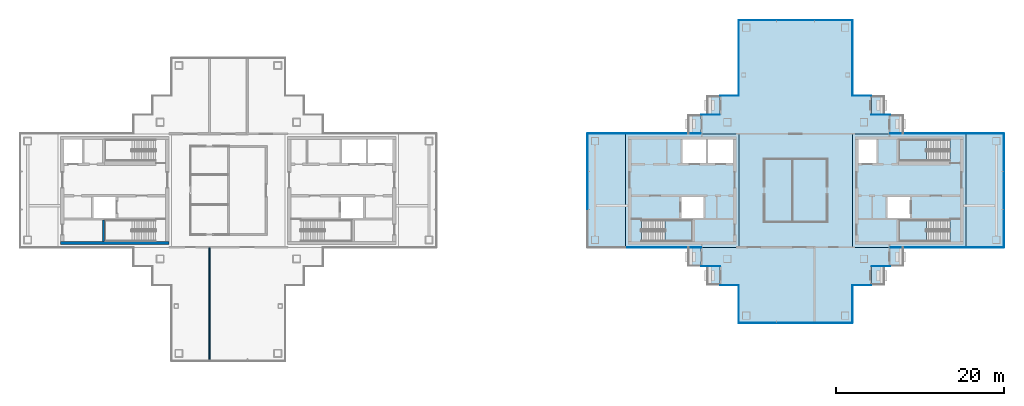
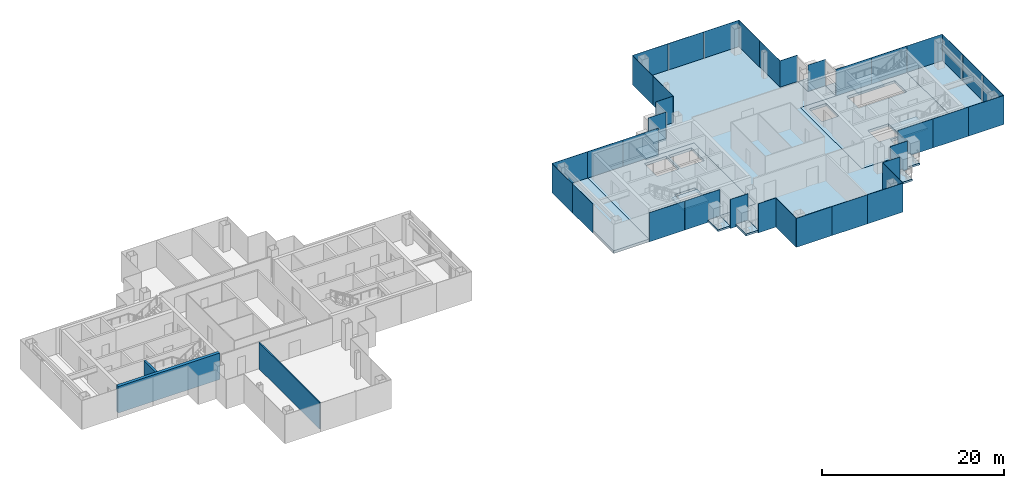
# One storey, part 8 of 16: 36 plates, 16 slabs, 3 walls, 22 elements without a shape of their own.
"""IFC4 building model written with IfcOpenShell, lengths in metres."""

from ifc_helpers import new_model, si_unit, direction, frame, frame_2d, origin, origin_2d, place, context, subcontext, project, spatial, polyline, rectangle, outline, extrude, material, layer, layer_set, type_object, element, aggregate, save


model = new_model("IFC4")

# Units and contexts
model_context = context("Model", 3, precision=1e-05, world=origin(), true_north=direction((0.0, 1.0)))
body_context = subcontext(model_context, "Body", "Model", "MODEL_VIEW")
ifc_project = project(units=[si_unit("LENGTHUNIT", "METRE"), si_unit("AREAUNIT", "SQUARE_METRE"), si_unit("VOLUMEUNIT", "CUBIC_METRE"), si_unit("PLANEANGLEUNIT", "RADIAN"), si_unit("MASSUNIT", "GRAM", prefix="KILO")], contexts=[model_context])

# Site, building, storey
site_placement = place(None, origin())
site = spatial("IfcSite", under=ifc_project, at=site_placement, CompositionType="ELEMENT")
building_placement = place(site_placement, origin())
building = spatial("IfcBuilding", under=site, at=building_placement, Name="Shamsa Quay Exchange Towers", CompositionType="ELEMENT")
storey_placement = place(building_placement, frame((0.0, 0.0, 242.10009765625)))
storey = spatial("IfcBuildingStorey", under=building, at=storey_placement, Name="L58", CompositionType="ELEMENT", Elevation=242.10009765625)

# Slabs
ifc_material_1 = material(Name="Precast concrete C40/50", Category="concrete")
ifc_layer_1 = layer(ifc_material_1, 0.25)
ifc_layer_set_1 = layer_set([ifc_layer_1], Name="BALCONY SLAB 250")
slab_type_1 = type_object("IfcSlabType", Name="BALCONY SLAB 250", PredefinedType="FLOOR", material=ifc_layer_set_1)
slab_1_placement = place(storey_placement, frame((0.0, 0.0, -0.25)))
element("IfcSlab", 1, at=slab_1_placement, inside=storey, type_object=slab_type_1, Name="Balcony T2-PKEN L58", PredefinedType="FLOOR", context=body_context, shape_type="SweptSolid", body=[
    extrude(outline(polyline([(24.75, 11.25), (24.75, 9.0380859375), (23.199951171875, 9.0380859375), (23.199951171875, 11.25), (24.75, 11.25)])), origin(), (0.0, 0.0, 1.0), 0.25),
])
slab_2_placement = place(storey_placement, frame((0.0, 0.0, -0.25)))
element("IfcSlab", 2, at=slab_2_placement, inside=storey, type_object=slab_type_1, Name="Balcony T2-PKEN L58", PredefinedType="FLOOR", context=body_context, shape_type="SweptSolid", body=[
    extrude(outline(polyline([(22.5, 9.0), (22.5, 6.7880859375), (20.949951171875, 6.7880859375), (20.949951171875, 9.0), (22.5, 9.0)])), origin(), (0.0, 0.0, 1.0), 0.25),
])
slab_3_placement = place(storey_placement, frame((0.0, 0.0, -0.25)))
element("IfcSlab", 3, at=slab_3_placement, inside=storey, type_object=slab_type_1, Name="Balcony T2-PKES L58", PredefinedType="FLOOR", context=body_context, shape_type="SweptSolid", body=[
    extrude(outline(polyline([(42.75, 9.0380859375), (42.75, 11.25), (44.300048828125, 11.25), (44.300048828125, 9.0380859375), (42.75, 9.0380859375)])), origin(), (0.0, 0.0, 1.0), 0.25),
])
slab_4_placement = place(storey_placement, frame((0.0, 0.0, -0.25)))
element("IfcSlab", 4, at=slab_4_placement, inside=storey, type_object=slab_type_1, Name="Balcony T2-PKES L58", PredefinedType="FLOOR", context=body_context, shape_type="SweptSolid", body=[
    extrude(outline(polyline([(45.0, 6.7880859375), (45.0, 9.0), (46.550048828125, 9.0), (46.550048828125, 6.7880859375), (45.0, 6.7880859375)])), origin(), (0.0, 0.0, 1.0), 0.25),
])
slab_5_placement = place(storey_placement, frame((0.0, 0.0, -0.25)))
element("IfcSlab", 5, at=slab_5_placement, inside=storey, type_object=slab_type_1, Name="Balcony T2-PKWN L58", PredefinedType="FLOOR", context=body_context, shape_type="SweptSolid", body=[
    extrude(outline(polyline([(22.5, -6.7880859375), (22.5, -9.0), (20.949951171875, -9.0), (20.949951171875, -6.7880859375), (22.5, -6.7880859375)])), origin(), (0.0, 0.0, 1.0), 0.25),
])
slab_6_placement = place(storey_placement, frame((0.0, 0.0, -0.25)))
element("IfcSlab", 6, at=slab_6_placement, inside=storey, type_object=slab_type_1, Name="Balcony T2-PKWN L58", PredefinedType="FLOOR", context=body_context, shape_type="SweptSolid", body=[
    extrude(outline(polyline([(24.75, -9.0380859375), (24.75, -11.25), (23.199951171875, -11.25), (23.199951171875, -9.0380859375), (24.75, -9.0380859375)])), origin(), (0.0, 0.0, 1.0), 0.25),
])
slab_7_placement = place(storey_placement, frame((0.0, 0.0, -0.25)))
element("IfcSlab", 7, at=slab_7_placement, inside=storey, type_object=slab_type_1, Name="Balcony T2-PKWS L58", PredefinedType="FLOOR", context=body_context, shape_type="SweptSolid", body=[
    extrude(outline(polyline([(42.75, -11.25), (42.75, -9.0380859375), (44.300048828125, -9.0380859375), (44.300048828125, -11.25), (42.75, -11.25)])), origin(), (0.0, 0.0, 1.0), 0.25),
])
slab_8_placement = place(storey_placement, frame((0.0, 0.0, -0.25)))
element("IfcSlab", 8, at=slab_8_placement, inside=storey, type_object=slab_type_1, Name="Balcony T2-PKWS L58", PredefinedType="FLOOR", context=body_context, shape_type="SweptSolid", body=[
    extrude(outline(polyline([(45.0, -9.0), (45.0, -6.7880859375), (46.550048828125, -6.7880859375), (46.550048828125, -9.0), (45.0, -9.0)])), origin(), (0.0, 0.0, 1.0), 0.25),
])
ifc_material_2 = material(Name="Concrete C50/60", Category="concrete")
ifc_layer_2 = layer(ifc_material_2, 0.35009765625)
ifc_layer_set_2 = layer_set([ifc_layer_2], Name="CORE FLOOR 350 C50/60")
slab_type_2 = type_object("IfcSlabType", Name="CORE FLOOR 350 C50/60", PredefinedType="FLOOR", material=ifc_layer_set_2)
slab_9_placement = place(storey_placement, frame((0.0, 0.0, -0.35009765625)))
element("IfcSlab", 9, at=slab_9_placement, inside=storey, type_object=slab_type_2, Name="Core floor T2A", PredefinedType="FLOOR", context=body_context, shape_type="SweptSolid", body=[
    extrude(outline(polyline([(13.5, -6.75), (27.0, -6.75), (27.0, 6.75), (13.5, 6.75), (13.5, -6.75)]), holes=[polyline([(15.400634765625, -6.050048828125), (15.400634765625, -3.5), (21.5, -3.5), (21.5, -6.050048828125), (15.400634765625, -6.050048828125)]), polyline([(20.300048828125, 3.25), (20.300048828125, 6.050048828125), (23.10009765625, 6.050048828125), (23.10009765625, 3.25), (20.300048828125, 3.25)]), polyline([(23.35009765625, 3.25), (23.35009765625, 6.050048828125), (26.300048828125, 6.050048828125), (26.300048828125, 3.25), (23.35009765625, 3.25)]), polyline([(20.14990234375, -3.25), (20.14990234375, -0.75), (22.800048828125, -0.75), (22.800048828125, -3.25), (20.14990234375, -3.25)])]), origin(), (0.0, 0.0, 1.0), 0.35009765625),
])
slab_10_placement = place(storey_placement, frame((0.0, 0.0, -0.35009765625)))
element("IfcSlab", 10, at=slab_10_placement, inside=storey, type_object=slab_type_2, Name="Core floor T2B", PredefinedType="FLOOR", context=body_context, shape_type="SweptSolid", body=[
    extrude(outline(polyline([(54.0, -6.75), (54.0, 6.75), (40.5, 6.75), (40.5, -6.75), (54.0, -6.75)]), holes=[polyline([(52.099365234375, -3.5), (52.099365234375, -6.050048828125), (46.0, -6.050048828125), (46.0, -3.5), (52.099365234375, -3.5)]), polyline([(52.099365234375, 6.050048828125), (52.099365234375, 3.5), (46.0, 3.5), (46.0, 6.050048828125), (52.099365234375, 6.050048828125)]), polyline([(43.35009765625, 3.25), (41.199951171875, 3.25), (41.199951171875, 6.050048828125), (43.35009765625, 6.050048828125), (43.35009765625, 3.25)]), polyline([(47.35009765625, -3.25), (44.699951171875, -3.25), (44.699951171875, -0.75), (47.35009765625, -0.75), (47.35009765625, -3.25)])]), origin(), (0.0, 0.0, 1.0), 0.35009765625),
])

# Stair, slab
ifc_material_3 = material(Name="Concrete C40/50", Category="concrete")
stair_type = type_object("IfcStairType", Name="EXIT STAIR 22 RISERS 177 MM", PredefinedType="HALF_TURN_STAIR", material=ifc_material_3)
stair_1_placement = place(storey_placement, origin())
stair_1 = element("IfcStair", 11, at=stair_1_placement, inside=storey, type_object=stair_type, Name="L58 Exit stair ST4", PredefinedType="HALF_TURN_STAIR")
ifc_layer_3 = layer(ifc_material_3, 0.199951171875)
ifc_layer_set_3 = layer_set([ifc_layer_3], Name="CORE STAIR LANDING")
slab_type_3 = type_object("IfcSlabType", Name="CORE STAIR LANDING", PredefinedType="LANDING", material=ifc_layer_set_3)
slab_11_placement = place(storey_placement, frame((0.0, 0.0, 1.75)))
slab_11 = element("IfcSlab", 12, at=slab_11_placement, type_object=slab_type_3, Name="ST4 landing 1", PredefinedType="LANDING", context=body_context, shape_type="SweptSolid", body=[
    extrude(outline(polyline([(18.199951171875, -6.050048828125), (21.5, -6.050048828125), (21.5, -3.5), (18.199951171875, -3.5), (18.199951171875, -6.050048828125)])), origin(), (0.0, 0.0, 1.0), 0.199951171875),
])
aggregate(stair_1, [slab_11])

stair_2_placement = place(storey_placement, origin())
stair_2 = element("IfcStair", 13, at=stair_2_placement, inside=storey, type_object=stair_type, Name="L58 Exit stair ST5", PredefinedType="HALF_TURN_STAIR")
slab_12_placement = place(storey_placement, frame((0.0, 0.0, 1.75)))
slab_12 = element("IfcSlab", 14, at=slab_12_placement, type_object=slab_type_3, Name="ST5 landing 1", PredefinedType="LANDING", context=body_context, shape_type="SweptSolid", body=[
    extrude(outline(polyline([(49.300048828125, -3.5), (46.0, -3.5), (46.0, -6.050048828125), (49.300048828125, -6.050048828125), (49.300048828125, -3.5)])), origin(), (0.0, 0.0, 1.0), 0.199951171875),
])
aggregate(stair_2, [slab_12])

stair_3_placement = place(storey_placement, origin())
stair_3 = element("IfcStair", 15, at=stair_3_placement, inside=storey, type_object=stair_type, Name="L58 Exit stair ST6", PredefinedType="HALF_TURN_STAIR")
slab_13_placement = place(storey_placement, frame((0.0, 0.0, 1.75)))
slab_13 = element("IfcSlab", 16, at=slab_13_placement, type_object=slab_type_3, Name="ST6 landing 1", PredefinedType="LANDING", context=body_context, shape_type="SweptSolid", body=[
    extrude(outline(polyline([(49.300048828125, 6.050048828125), (46.0, 6.050048828125), (46.0, 3.5), (49.300048828125, 3.5), (49.300048828125, 6.050048828125)])), origin(), (0.0, 0.0, 1.0), 0.199951171875),
])
aggregate(stair_3, [slab_13])

# Curtain wall, plate
ifc_material_4 = material(Name="Aluminium EN AW-6063 T6, black anodised", Category="aluminium")
ifc_layer_4 = layer(ifc_material_4, 0.280029296875)
ifc_layer_set_4 = layer_set([ifc_layer_4], Name="CW-1 UNITISED VISION GLASS")
curtain_wall_type_1 = type_object("IfcCurtainWallType", Name="CW-1 UNITISED VISION GLASS", PredefinedType="NOTDEFINED", material=ifc_layer_set_4)
curtain_wall_1_placement = place(storey_placement, origin())
curtain_wall_1 = element("IfcCurtainWall", 17, at=curtain_wall_1_placement, inside=storey, type_object=curtain_wall_type_1, Name="CW1 T2-FLK-V-W L58", PredefinedType="NOTDEFINED")
ifc_material_5 = material(Name="Glass, laminated, dark tinted", Category="glass")
ifc_layer_5 = layer(ifc_material_5, 0.0400390625)
ifc_layer_set_5 = layer_set([ifc_layer_5], Name="CW-1 VISION GLASS 40")
plate_type_1 = type_object("IfcPlateType", Name="CW-1 VISION GLASS 40", PredefinedType="CURTAIN_PANEL", material=ifc_layer_set_5)
plate_1_placement = place(storey_placement, frame((56.25, -6.77001953125, -0.35009765625)))
plate_1 = element("IfcPlate", 18, at=plate_1_placement, type_object=plate_type_1, Name="CW1 glass panel", PredefinedType="CURTAIN_PANEL", context=body_context, shape_type="SweptSolid", body=[
    extrude(rectangle(XDim=4.5, YDim=0.0400390625, at=origin_2d()), origin(), (0.0, 0.0, 1.0), 3.89990234375),
])
aggregate(curtain_wall_1, [plate_1])

# Curtain wall, plates
curtain_wall_2_placement = place(storey_placement, origin())
curtain_wall_2 = element("IfcCurtainWall", 19, at=curtain_wall_2_placement, inside=storey, type_object=curtain_wall_type_1, Name="CW1 T2-END-V- L58", PredefinedType="NOTDEFINED")
plate_2_placement = place(storey_placement, frame((58.52001953125, -4.50244140625, -0.35009765625), z_axis=(0.0, 0.0, 1.0), x_axis=(0.0, 1.0, 0.0)))
plate_2 = element("IfcPlate", 20, at=plate_2_placement, type_object=plate_type_1, Name="CW1 glass panel", PredefinedType="CURTAIN_PANEL", context=body_context, shape_type="SweptSolid", body=[
    extrude(rectangle(XDim=4.4951171875, YDim=0.0400390625, at=origin_2d()), origin(), (0.0, 0.0, 1.0), 3.89990234375),
])
plate_3_placement = place(storey_placement, frame((58.52001953125, 0.0, -0.35009765625), z_axis=(0.0, 0.0, 1.0), x_axis=(0.0, 1.0, 0.0)))
plate_3 = element("IfcPlate", 21, at=plate_3_placement, type_object=plate_type_1, Name="CW1 glass panel", PredefinedType="CURTAIN_PANEL", context=body_context, shape_type="SweptSolid", body=[
    extrude(rectangle(XDim=4.489990234375, YDim=0.0400390625, at=origin_2d()), origin(), (0.0, 0.0, 1.0), 3.89990234375),
])
plate_4_placement = place(storey_placement, frame((58.52001953125, 4.50244140625, -0.35009765625), z_axis=(0.0, 0.0, 1.0), x_axis=(0.0, 1.0, 0.0)))
plate_4 = element("IfcPlate", 22, at=plate_4_placement, type_object=plate_type_1, Name="CW1 glass panel", PredefinedType="CURTAIN_PANEL", context=body_context, shape_type="SweptSolid", body=[
    extrude(rectangle(XDim=4.4951171875, YDim=0.0400390625, at=origin_2d()), origin(), (0.0, 0.0, 1.0), 3.89990234375),
])
aggregate(curtain_wall_2, [plate_2, plate_3, plate_4])

# Curtain wall, plate
curtain_wall_3_placement = place(storey_placement, origin())
curtain_wall_3 = element("IfcCurtainWall", 23, at=curtain_wall_3_placement, inside=storey, type_object=curtain_wall_type_1, Name="CW1 T2-FLK-V-E L58", PredefinedType="NOTDEFINED")
plate_5_placement = place(storey_placement, frame((56.25, 6.77001953125, -0.35009765625), z_axis=(0.0, 0.0, 1.0), x_axis=(-1.0, 0.0, 0.0)))
plate_5 = element("IfcPlate", 24, at=plate_5_placement, type_object=plate_type_1, Name="CW1 glass panel", PredefinedType="CURTAIN_PANEL", context=body_context, shape_type="SweptSolid", body=[
    extrude(rectangle(XDim=4.5, YDim=0.0400390625, at=origin_2d()), origin(), (0.0, 0.0, 1.0), 3.89990234375),
])
aggregate(curtain_wall_3, [plate_5])

# Curtain wall, plates
curtain_wall_4_placement = place(storey_placement, origin())
curtain_wall_4 = element("IfcCurtainWall", 25, at=curtain_wall_4_placement, inside=storey, type_object=curtain_wall_type_1, Name="CW1 T2-FLK-U+S L58", PredefinedType="NOTDEFINED")
plate_6_placement = place(storey_placement, frame((40.52001953125, 13.52587890625, -0.35009765625), z_axis=(0.0, 0.0, 1.0), x_axis=(0.0, 1.0, 0.0)))
plate_6 = element("IfcPlate", 26, at=plate_6_placement, type_object=plate_type_1, Name="CW1 glass panel", PredefinedType="CURTAIN_PANEL", context=body_context, shape_type="SweptSolid", body=[
    extrude(rectangle(XDim=4.47607421875, YDim=0.0400390625, at=origin_2d()), origin(), (0.0, 0.0, 1.0), 3.89990234375),
])
plate_7_placement = place(storey_placement, frame((40.52001953125, 18.011962890625, -0.35009765625), z_axis=(0.0, 0.0, 1.0), x_axis=(0.0, 1.0, 0.0)))
plate_7 = element("IfcPlate", 27, at=plate_7_placement, type_object=plate_type_1, Name="CW1 glass panel", PredefinedType="CURTAIN_PANEL", context=body_context, shape_type="SweptSolid", body=[
    extrude(rectangle(XDim=4.47607421875, YDim=0.0400390625, at=origin_2d()), origin(), (0.0, 0.0, 1.0), 3.89990234375),
])
aggregate(curtain_wall_4, [plate_6, plate_7])

curtain_wall_5_placement = place(storey_placement, origin())
curtain_wall_5 = element("IfcCurtainWall", 28, at=curtain_wall_5_placement, inside=storey, type_object=curtain_wall_type_1, Name="CW1 T2-END-U+ L58", PredefinedType="NOTDEFINED")
plate_8_placement = place(storey_placement, frame((38.25244140625, 20.27001953125, -0.35009765625), z_axis=(0.0, 0.0, 1.0), x_axis=(-1.0, 0.0, 0.0)))
plate_8 = element("IfcPlate", 29, at=plate_8_placement, type_object=plate_type_1, Name="CW1 glass panel", PredefinedType="CURTAIN_PANEL", context=body_context, shape_type="SweptSolid", body=[
    extrude(rectangle(XDim=4.4951171875, YDim=0.0400390625, at=origin_2d()), origin(), (0.0, 0.0, 1.0), 3.89990234375),
])
plate_9_placement = place(storey_placement, frame((33.75, 20.27001953125, -0.35009765625), z_axis=(0.0, 0.0, 1.0), x_axis=(-1.0, 0.0, 0.0)))
plate_9 = element("IfcPlate", 30, at=plate_9_placement, type_object=plate_type_1, Name="CW1 glass panel", PredefinedType="CURTAIN_PANEL", context=body_context, shape_type="SweptSolid", body=[
    extrude(rectangle(XDim=4.489990234375, YDim=0.0400390625, at=origin_2d()), origin(), (0.0, 0.0, 1.0), 3.89990234375),
])
plate_10_placement = place(storey_placement, frame((29.24755859375, 20.27001953125, -0.35009765625), z_axis=(0.0, 0.0, 1.0), x_axis=(-1.0, 0.0, 0.0)))
plate_10 = element("IfcPlate", 31, at=plate_10_placement, type_object=plate_type_1, Name="CW1 glass panel", PredefinedType="CURTAIN_PANEL", context=body_context, shape_type="SweptSolid", body=[
    extrude(rectangle(XDim=4.4951171875, YDim=0.0400390625, at=origin_2d()), origin(), (0.0, 0.0, 1.0), 3.89990234375),
])
aggregate(curtain_wall_5, [plate_8, plate_9, plate_10])

curtain_wall_6_placement = place(storey_placement, origin())
curtain_wall_6 = element("IfcCurtainWall", 32, at=curtain_wall_6_placement, inside=storey, type_object=curtain_wall_type_1, Name="CW1 T2-FLK-U+N L58", PredefinedType="NOTDEFINED")
plate_11_placement = place(storey_placement, frame((26.97998046875, 18.00244140625, -0.35009765625), z_axis=(0.0, 0.0, 1.0), x_axis=(0.0, -1.0, 0.0)))
plate_11 = element("IfcPlate", 33, at=plate_11_placement, type_object=plate_type_1, Name="CW1 glass panel", PredefinedType="CURTAIN_PANEL", context=body_context, shape_type="SweptSolid", body=[
    extrude(rectangle(XDim=4.4951171875, YDim=0.0400390625, at=origin_2d()), origin(), (0.0, 0.0, 1.0), 3.89990234375),
])
plate_12_placement = place(storey_placement, frame((26.97998046875, 13.49755859375, -0.35009765625), z_axis=(0.0, 0.0, 1.0), x_axis=(0.0, -1.0, 0.0)))
plate_12 = element("IfcPlate", 34, at=plate_12_placement, type_object=plate_type_1, Name="CW1 glass panel", PredefinedType="CURTAIN_PANEL", context=body_context, shape_type="SweptSolid", body=[
    extrude(rectangle(XDim=4.4951171875, YDim=0.0400390625, at=origin_2d()), origin(), (0.0, 0.0, 1.0), 3.89990234375),
])
aggregate(curtain_wall_6, [plate_11, plate_12])

# Curtain wall, plate
curtain_wall_7_placement = place(storey_placement, origin())
curtain_wall_7 = element("IfcCurtainWall", 35, at=curtain_wall_7_placement, inside=storey, type_object=curtain_wall_type_1, Name="CW1 T2-FLK-V+E L58", PredefinedType="NOTDEFINED")
plate_13_placement = place(storey_placement, frame((11.25, 6.77001953125, -0.35009765625), z_axis=(0.0, 0.0, 1.0), x_axis=(-1.0, 0.0, 0.0)))
plate_13 = element("IfcPlate", 36, at=plate_13_placement, type_object=plate_type_1, Name="CW1 glass panel", PredefinedType="CURTAIN_PANEL", context=body_context, shape_type="SweptSolid", body=[
    extrude(rectangle(XDim=4.5, YDim=0.0400390625, at=origin_2d()), origin(), (0.0, 0.0, 1.0), 3.89990234375),
])
aggregate(curtain_wall_7, [plate_13])

# Curtain wall, plates
curtain_wall_8_placement = place(storey_placement, origin())
curtain_wall_8 = element("IfcCurtainWall", 37, at=curtain_wall_8_placement, inside=storey, type_object=curtain_wall_type_1, Name="CW1 T2-END-V+ L58", PredefinedType="NOTDEFINED")
plate_14_placement = place(storey_placement, frame((8.97998046875, 4.50244140625, -0.35009765625), z_axis=(0.0, 0.0, 1.0), x_axis=(0.0, -1.0, 0.0)))
plate_14 = element("IfcPlate", 38, at=plate_14_placement, type_object=plate_type_1, Name="CW1 glass panel", PredefinedType="CURTAIN_PANEL", context=body_context, shape_type="SweptSolid", body=[
    extrude(rectangle(XDim=4.4951171875, YDim=0.0400390625, at=origin_2d()), origin(), (0.0, 0.0, 1.0), 3.89990234375),
])
plate_15_placement = place(storey_placement, frame((8.97998046875, 0.0, -0.35009765625), z_axis=(0.0, 0.0, 1.0), x_axis=(0.0, -1.0, 0.0)))
plate_15 = element("IfcPlate", 39, at=plate_15_placement, type_object=plate_type_1, Name="CW1 glass panel", PredefinedType="CURTAIN_PANEL", context=body_context, shape_type="SweptSolid", body=[
    extrude(rectangle(XDim=4.489990234375, YDim=0.0400390625, at=origin_2d()), origin(), (0.0, 0.0, 1.0), 3.89990234375),
])
aggregate(curtain_wall_8, [plate_14, plate_15])

# Curtain wall, plate
curtain_wall_9_placement = place(storey_placement, origin())
curtain_wall_9 = element("IfcCurtainWall", 40, at=curtain_wall_9_placement, inside=storey, type_object=curtain_wall_type_1, Name="CW1 T2-FLK-U-N L58", PredefinedType="NOTDEFINED")
plate_16_placement = place(storey_placement, frame((26.97998046875, -13.51904296875, -0.35009765625), z_axis=(0.0, 0.0, 1.0), x_axis=(0.0, -1.0, 0.0)))
plate_16 = element("IfcPlate", 41, at=plate_16_placement, type_object=plate_type_1, Name="CW1 glass panel", PredefinedType="CURTAIN_PANEL", context=body_context, shape_type="SweptSolid", body=[
    extrude(rectangle(XDim=4.4619140625, YDim=0.0400390625, at=origin_2d()), origin(), (0.0, 0.0, 1.0), 3.89990234375),
])
aggregate(curtain_wall_9, [plate_16])

# Curtain wall, plates
curtain_wall_10_placement = place(storey_placement, origin())
curtain_wall_10 = element("IfcCurtainWall", 42, at=curtain_wall_10_placement, inside=storey, type_object=curtain_wall_type_1, Name="CW1 T2-END-U- L58", PredefinedType="NOTDEFINED")
plate_17_placement = place(storey_placement, frame((29.24755859375, -15.77001953125, -0.35009765625)))
plate_17 = element("IfcPlate", 43, at=plate_17_placement, type_object=plate_type_1, Name="CW1 glass panel", PredefinedType="CURTAIN_PANEL", context=body_context, shape_type="SweptSolid", body=[
    extrude(rectangle(XDim=4.4951171875, YDim=0.0400390625, at=origin_2d()), origin(), (0.0, 0.0, 1.0), 3.89990234375),
])
plate_18_placement = place(storey_placement, frame((33.75, -15.77001953125, -0.35009765625)))
plate_18 = element("IfcPlate", 44, at=plate_18_placement, type_object=plate_type_1, Name="CW1 glass panel", PredefinedType="CURTAIN_PANEL", context=body_context, shape_type="SweptSolid", body=[
    extrude(rectangle(XDim=4.489990234375, YDim=0.0400390625, at=origin_2d()), origin(), (0.0, 0.0, 1.0), 3.89990234375),
])
plate_19_placement = place(storey_placement, frame((38.25244140625, -15.77001953125, -0.35009765625)))
plate_19 = element("IfcPlate", 45, at=plate_19_placement, type_object=plate_type_1, Name="CW1 glass panel", PredefinedType="CURTAIN_PANEL", context=body_context, shape_type="SweptSolid", body=[
    extrude(rectangle(XDim=4.4951171875, YDim=0.0400390625, at=origin_2d()), origin(), (0.0, 0.0, 1.0), 3.89990234375),
])
aggregate(curtain_wall_10, [plate_17, plate_18, plate_19])

# Curtain wall, plate
curtain_wall_11_placement = place(storey_placement, origin())
curtain_wall_11 = element("IfcCurtainWall", 46, at=curtain_wall_11_placement, inside=storey, type_object=curtain_wall_type_1, Name="CW1 T2-FLK-U-S L58", PredefinedType="NOTDEFINED")
plate_20_placement = place(storey_placement, frame((40.52001953125, -13.5, -0.35009765625), z_axis=(0.0, 0.0, 1.0), x_axis=(0.0, 1.0, 0.0)))
plate_20 = element("IfcPlate", 47, at=plate_20_placement, type_object=plate_type_1, Name="CW1 glass panel", PredefinedType="CURTAIN_PANEL", context=body_context, shape_type="SweptSolid", body=[
    extrude(rectangle(XDim=4.5, YDim=0.0400390625, at=origin_2d()), origin(), (0.0, 0.0, 1.0), 3.89990234375),
])
aggregate(curtain_wall_11, [plate_20])

# Curtain wall, plates
ifc_layer_6 = layer(ifc_material_4, 0.303955078125)
ifc_layer_set_6 = layer_set([ifc_layer_6], Name="CW-2 UNITISED OPAQUE SPANDREL GLASS")
curtain_wall_type_2 = type_object("IfcCurtainWallType", Name="CW-2 UNITISED OPAQUE SPANDREL GLASS", PredefinedType="NOTDEFINED", material=ifc_layer_set_6)
curtain_wall_12_placement = place(storey_placement, origin())
curtain_wall_12 = element("IfcCurtainWall", 48, at=curtain_wall_12_placement, inside=storey, type_object=curtain_wall_type_2, Name="CW2 T2-FLK-V-W L58", PredefinedType="NOTDEFINED")
ifc_material_6 = material(Name="Glass, laminated, black enamelled opaque", Category="glass")
ifc_layer_7 = layer(ifc_material_6, 0.0439453125)
ifc_layer_set_7 = layer_set([ifc_layer_7], Name="CW-2 SPANDREL GLASS 44")
plate_type_2 = type_object("IfcPlateType", Name="CW-2 SPANDREL GLASS 44", PredefinedType="CURTAIN_PANEL", material=ifc_layer_set_7)
plate_21_placement = place(storey_placement, frame((47.27587890625, -6.77197265625, -0.35009765625)))
plate_21 = element("IfcPlate", 49, at=plate_21_placement, type_object=plate_type_2, Name="CW2 glass panel", PredefinedType="CURTAIN_PANEL", context=body_context, shape_type="SweptSolid", body=[
    extrude(rectangle(XDim=4.47607421875, YDim=0.0439453125, at=origin_2d()), origin(), (0.0, 0.0, 1.0), 3.89990234375),
])
plate_22_placement = place(storey_placement, frame((51.761962890625, -6.77197265625, -0.35009765625)))
plate_22 = element("IfcPlate", 50, at=plate_22_placement, type_object=plate_type_2, Name="CW2 glass panel", PredefinedType="CURTAIN_PANEL", context=body_context, shape_type="SweptSolid", body=[
    extrude(rectangle(XDim=4.47607421875, YDim=0.0439453125, at=origin_2d()), origin(), (0.0, 0.0, 1.0), 3.89990234375),
])
aggregate(curtain_wall_12, [plate_21, plate_22])

curtain_wall_13_placement = place(storey_placement, origin())
curtain_wall_13 = element("IfcCurtainWall", 51, at=curtain_wall_13_placement, inside=storey, type_object=curtain_wall_type_2, Name="CW2 T2-FLK-V-E L58", PredefinedType="NOTDEFINED")
plate_23_placement = place(storey_placement, frame((51.75244140625, 6.77197265625, -0.35009765625), z_axis=(0.0, 0.0, 1.0), x_axis=(-1.0, 0.0, 0.0)))
plate_23 = element("IfcPlate", 52, at=plate_23_placement, type_object=plate_type_2, Name="CW2 glass panel", PredefinedType="CURTAIN_PANEL", context=body_context, shape_type="SweptSolid", body=[
    extrude(rectangle(XDim=4.4951171875, YDim=0.0439453125, at=origin_2d()), origin(), (0.0, 0.0, 1.0), 3.89990234375),
])
plate_24_placement = place(storey_placement, frame((47.24755859375, 6.77197265625, -0.35009765625), z_axis=(0.0, 0.0, 1.0), x_axis=(-1.0, 0.0, 0.0)))
plate_24 = element("IfcPlate", 53, at=plate_24_placement, type_object=plate_type_2, Name="CW2 glass panel", PredefinedType="CURTAIN_PANEL", context=body_context, shape_type="SweptSolid", body=[
    extrude(rectangle(XDim=4.4951171875, YDim=0.0439453125, at=origin_2d()), origin(), (0.0, 0.0, 1.0), 3.89990234375),
])
aggregate(curtain_wall_13, [plate_23, plate_24])

curtain_wall_14_placement = place(storey_placement, origin())
curtain_wall_14 = element("IfcCurtainWall", 54, at=curtain_wall_14_placement, inside=storey, type_object=curtain_wall_type_2, Name="CW2 T2-FLK-V+E L58", PredefinedType="NOTDEFINED")
plate_25_placement = place(storey_placement, frame((20.22412109375, 6.77197265625, -0.35009765625), z_axis=(0.0, 0.0, 1.0), x_axis=(-1.0, 0.0, 0.0)))
plate_25 = element("IfcPlate", 55, at=plate_25_placement, type_object=plate_type_2, Name="CW2 glass panel", PredefinedType="CURTAIN_PANEL", context=body_context, shape_type="SweptSolid", body=[
    extrude(rectangle(XDim=4.47607421875, YDim=0.0439453125, at=origin_2d()), origin(), (0.0, 0.0, 1.0), 3.89990234375),
])
plate_26_placement = place(storey_placement, frame((15.738037109375, 6.77197265625, -0.35009765625), z_axis=(0.0, 0.0, 1.0), x_axis=(-1.0, 0.0, 0.0)))
plate_26 = element("IfcPlate", 56, at=plate_26_placement, type_object=plate_type_2, Name="CW2 glass panel", PredefinedType="CURTAIN_PANEL", context=body_context, shape_type="SweptSolid", body=[
    extrude(rectangle(XDim=4.47607421875, YDim=0.0439453125, at=origin_2d()), origin(), (0.0, 0.0, 1.0), 3.89990234375),
])
aggregate(curtain_wall_14, [plate_25, plate_26])

curtain_wall_15_placement = place(storey_placement, origin())
curtain_wall_15 = element("IfcCurtainWall", 57, at=curtain_wall_15_placement, inside=storey, type_object=curtain_wall_type_2, Name="CW2 T2-FLK-V+W L58", PredefinedType="NOTDEFINED")
plate_27_placement = place(storey_placement, frame((15.74755859375, -6.77197265625, -0.35009765625)))
plate_27 = element("IfcPlate", 58, at=plate_27_placement, type_object=plate_type_2, Name="CW2 glass panel", PredefinedType="CURTAIN_PANEL", context=body_context, shape_type="SweptSolid", body=[
    extrude(rectangle(XDim=4.4951171875, YDim=0.0439453125, at=origin_2d()), origin(), (0.0, 0.0, 1.0), 3.89990234375),
])
plate_28_placement = place(storey_placement, frame((20.25244140625, -6.77197265625, -0.35009765625)))
plate_28 = element("IfcPlate", 59, at=plate_28_placement, type_object=plate_type_2, Name="CW2 glass panel", PredefinedType="CURTAIN_PANEL", context=body_context, shape_type="SweptSolid", body=[
    extrude(rectangle(XDim=4.4951171875, YDim=0.0439453125, at=origin_2d()), origin(), (0.0, 0.0, 1.0), 3.89990234375),
])
aggregate(curtain_wall_15, [plate_27, plate_28])

ifc_layer_8 = layer(ifc_material_4, 0.256103515625)
ifc_layer_set_8 = layer_set([ifc_layer_8], Name="CW-4 POCKET SERRATED GLAZING")
curtain_wall_type_3 = type_object("IfcCurtainWallType", Name="CW-4 POCKET SERRATED GLAZING", PredefinedType="NOTDEFINED", material=ifc_layer_set_8)
curtain_wall_16_placement = place(storey_placement, origin())
curtain_wall_16 = element("IfcCurtainWall", 60, at=curtain_wall_16_placement, inside=storey, type_object=curtain_wall_type_3, Name="CW4 PKWS L58", PredefinedType="NOTDEFINED")
ifc_layer_9 = layer(ifc_material_5, 0.035888671875)
ifc_layer_set_9 = layer_set([ifc_layer_9], Name="CW-4 POCKET GLASS 36")
plate_type_3 = type_object("IfcPlateType", Name="CW-4 POCKET GLASS 36", PredefinedType="CURTAIN_PANEL", material=ifc_layer_set_9)
plate_29_placement = place(storey_placement, frame((43.89404296875, -9.01806640625, -0.35009765625)))
plate_29 = element("IfcPlate", 61, at=plate_29_placement, type_object=plate_type_3, Name="CW4 glass panel", PredefinedType="CURTAIN_PANEL", context=body_context, shape_type="SweptSolid", body=[
    extrude(rectangle(XDim=2.2119140625, YDim=0.035888671875, at=origin_2d()), origin(), (0.0, 0.0, 1.0), 3.89990234375),
])
plate_30_placement = place(storey_placement, frame((41.64599609375, -11.26806640625, -0.35009765625)))
plate_30 = element("IfcPlate", 62, at=plate_30_placement, type_object=plate_type_3, Name="CW4 glass panel", PredefinedType="CURTAIN_PANEL", context=body_context, shape_type="SweptSolid", body=[
    extrude(rectangle(XDim=2.2080078125, YDim=0.035888671875, at=origin_2d()), origin(), (0.0, 0.0, 1.0), 3.89990234375),
])
aggregate(curtain_wall_16, [plate_29, plate_30])

curtain_wall_17_placement = place(storey_placement, origin())
curtain_wall_17 = element("IfcCurtainWall", 63, at=curtain_wall_17_placement, inside=storey, type_object=curtain_wall_type_3, Name="CW4 PKES L58", PredefinedType="NOTDEFINED")
plate_31_placement = place(storey_placement, frame((43.875, 9.01806640625, -0.35009765625), z_axis=(0.0, 0.0, 1.0), x_axis=(-1.0, 0.0, 0.0)))
plate_31 = element("IfcPlate", 64, at=plate_31_placement, type_object=plate_type_3, Name="CW4 glass panel", PredefinedType="CURTAIN_PANEL", context=body_context, shape_type="SweptSolid", body=[
    extrude(rectangle(XDim=2.25, YDim=0.035888671875, at=origin_2d()), origin(), (0.0, 0.0, 1.0), 3.89990234375),
])
plate_32_placement = place(storey_placement, frame((41.625, 11.26806640625, -0.35009765625), z_axis=(0.0, 0.0, 1.0), x_axis=(-1.0, 0.0, 0.0)))
plate_32 = element("IfcPlate", 65, at=plate_32_placement, type_object=plate_type_3, Name="CW4 glass panel", PredefinedType="CURTAIN_PANEL", context=body_context, shape_type="SweptSolid", body=[
    extrude(rectangle(XDim=2.25, YDim=0.035888671875, at=origin_2d()), origin(), (0.0, 0.0, 1.0), 3.89990234375),
])
aggregate(curtain_wall_17, [plate_31, plate_32])

curtain_wall_18_placement = place(storey_placement, origin())
curtain_wall_18 = element("IfcCurtainWall", 66, at=curtain_wall_18_placement, inside=storey, type_object=curtain_wall_type_3, Name="CW4 PKEN L58", PredefinedType="NOTDEFINED")
plate_33_placement = place(storey_placement, frame((25.85400390625, 11.26806640625, -0.35009765625), z_axis=(0.0, 0.0, 1.0), x_axis=(-1.0, 0.0, 0.0)))
plate_33 = element("IfcPlate", 67, at=plate_33_placement, type_object=plate_type_3, Name="CW4 glass panel", PredefinedType="CURTAIN_PANEL", context=body_context, shape_type="SweptSolid", body=[
    extrude(rectangle(XDim=2.2080078125, YDim=0.035888671875, at=origin_2d()), origin(), (0.0, 0.0, 1.0), 3.89990234375),
])
plate_34_placement = place(storey_placement, frame((23.60595703125, 9.01806640625, -0.35009765625), z_axis=(0.0, 0.0, 1.0), x_axis=(-1.0, 0.0, 0.0)))
plate_34 = element("IfcPlate", 68, at=plate_34_placement, type_object=plate_type_3, Name="CW4 glass panel", PredefinedType="CURTAIN_PANEL", context=body_context, shape_type="SweptSolid", body=[
    extrude(rectangle(XDim=2.2119140625, YDim=0.035888671875, at=origin_2d()), origin(), (0.0, 0.0, 1.0), 3.89990234375),
])
aggregate(curtain_wall_18, [plate_33, plate_34])

curtain_wall_19_placement = place(storey_placement, origin())
curtain_wall_19 = element("IfcCurtainWall", 69, at=curtain_wall_19_placement, inside=storey, type_object=curtain_wall_type_3, Name="CW4 PKWN L58", PredefinedType="NOTDEFINED")
plate_35_placement = place(storey_placement, frame((23.625, -9.01806640625, -0.35009765625)))
plate_35 = element("IfcPlate", 70, at=plate_35_placement, type_object=plate_type_3, Name="CW4 glass panel", PredefinedType="CURTAIN_PANEL", context=body_context, shape_type="SweptSolid", body=[
    extrude(rectangle(XDim=2.25, YDim=0.035888671875, at=origin_2d()), origin(), (0.0, 0.0, 1.0), 3.89990234375),
])
plate_36_placement = place(storey_placement, frame((25.875, -11.26806640625, -0.35009765625)))
plate_36 = element("IfcPlate", 71, at=plate_36_placement, type_object=plate_type_3, Name="CW4 glass panel", PredefinedType="CURTAIN_PANEL", context=body_context, shape_type="SweptSolid", body=[
    extrude(rectangle(XDim=2.25, YDim=0.035888671875, at=origin_2d()), origin(), (0.0, 0.0, 1.0), 3.89990234375),
])
aggregate(curtain_wall_19, [plate_35, plate_36])

# Slabs
ifc_layer_10 = layer(ifc_material_3, 0.35009765625)
ifc_layer_set_10 = layer_set([ifc_layer_10], Name="Flat slab 350")
slab_type_4 = type_object("IfcSlabType", Name="Flat slab 350", PredefinedType="FLOOR", material=ifc_layer_set_10)
slab_14_placement = place(storey_placement, frame((0.0, 0.0, -0.35009765625)))
element("IfcSlab", 72, at=slab_14_placement, inside=storey, type_object=slab_type_4, Name="Flat slab T2 L58 4", PredefinedType="FLOOR", context=body_context, shape_type="SweptSolid", body=[
    extrude(outline(polyline([(9.0, -6.75), (13.5, -6.75), (13.5, 6.75), (9.0, 6.75), (9.0, -6.75)])), origin(), (0.0, 0.0, 1.0), 0.35009765625),
])
slab_15_placement = place(storey_placement, frame((0.0, 0.0, -0.35009765625)))
element("IfcSlab", 73, at=slab_15_placement, inside=storey, type_object=slab_type_4, Name="Flat slab T2 L58 5", PredefinedType="FLOOR", context=body_context, shape_type="SweptSolid", body=[
    extrude(outline(polyline([(45.0, -9.0), (45.0, -6.75), (40.5, -6.75), (40.5, 6.75), (45.0, 6.75), (45.0, 9.0), (42.75, 9.0), (42.75, 11.25), (40.5, 11.25), (40.5, 20.25), (27.0, 20.25), (27.0, 11.25), (24.75, 11.25), (24.75, 9.0), (22.5, 9.0), (22.5, 6.75), (27.0, 6.75), (27.0, -6.75), (22.5, -6.75), (22.5, -9.0), (24.75, -9.0), (24.75, -11.25), (27.0, -11.25), (27.0, -15.75), (40.5, -15.75), (40.5, -11.25), (42.75, -11.25), (42.75, -9.0), (45.0, -9.0)])), origin(), (0.0, 0.0, 1.0), 0.35009765625),
])
slab_16_placement = place(storey_placement, frame((0.0, 0.0, -0.35009765625)))
element("IfcSlab", 74, at=slab_16_placement, inside=storey, type_object=slab_type_4, Name="Flat slab T2 L58 6", PredefinedType="FLOOR", context=body_context, shape_type="SweptSolid", body=[
    extrude(outline(polyline([(58.5, 6.75), (54.0, 6.75), (54.0, -6.75), (58.5, -6.75), (58.5, 6.75)])), origin(), (0.0, 0.0, 1.0), 0.35009765625),
])

# Walls
ifc_material_7 = material(Name="Concrete C60/75", Category="concrete")
ifc_layer_11 = layer(ifc_material_7, 0.39990234375)
ifc_layer_set_11 = layer_set([ifc_layer_11], Name="CORE WALL 400 C60/75")
wall_type_1 = type_object("IfcWallType", Name="CORE WALL 400 C60/75", PredefinedType="SHEAR", material=ifc_layer_set_11)
wall_1_placement = place(storey_placement, frame((-40.800048828125, -6.25, 0.0), z_axis=(0.0, 0.0, 1.0), x_axis=(-1.0, 0.0, 0.0)))
element("IfcWall", 75, at=wall_1_placement, inside=storey, type_object=wall_type_1, Name="Core wall T1B-R26-PS", PredefinedType="SHEAR", context=body_context, shape_type="SweptSolid", body=[
    extrude(rectangle(XDim=12.89990234375, YDim=0.39990234375, at=frame_2d((6.449951171875, 0.0))), origin(), (0.0, 0.0, 1.0), 3.5498046875),
])
ifc_material_8 = material(Name="Gypsum board partition on metal studs")
ifc_layer_12 = layer(ifc_material_8, 0.14990234375)
ifc_layer_set_12 = layer_set([ifc_layer_12], Name="Partition 150 mm EI 60")
wall_type_2 = type_object("IfcWallType", Name="Partition 150 mm EI 60", PredefinedType="PARTITIONING", material=ifc_layer_set_12)
wall_2_placement = place(storey_placement, frame((-36.0, -20.155029296875, 0.0), z_axis=(0.0, 0.0, 1.0), x_axis=(0.0, 1.0, 0.0)))
element("IfcWall", 76, at=wall_2_placement, inside=storey, type_object=wall_type_2, Name="Partition T1-R26-W15", PredefinedType="PARTITIONING", context=body_context, shape_type="SweptSolid", body=[
    extrude(rectangle(XDim=13.330078125, YDim=0.14990234375, at=frame_2d((6.6650390625, 0.0))), origin(), (0.0, 0.0, 1.0), 3.5498046875),
])
ifc_layer_13 = layer(ifc_material_2, 0.25)
ifc_layer_set_13 = layer_set([ifc_layer_13], Name="SHAFT WALL 250 C50/60")
wall_type_3 = type_object("IfcWallType", Name="SHAFT WALL 250 C50/60", PredefinedType="SHEAR", material=ifc_layer_set_13)
wall_3_placement = place(storey_placement, frame((-48.625, -6.050048828125, 0.0), z_axis=(0.0, 0.0, 1.0), x_axis=(0.0, 1.0, 0.0)))
element("IfcWall", 77, at=wall_3_placement, inside=storey, type_object=wall_type_3, Name="Shaft wall T1B-R26-STF", PredefinedType="SHEAR", context=body_context, shape_type="SweptSolid", body=[
    extrude(rectangle(XDim=2.550048828125, YDim=0.25, at=frame_2d((1.27490234375, 0.0))), origin(), (0.0, 0.0, 1.0), 3.5498046875),
])

save(model, "model.ifc")
